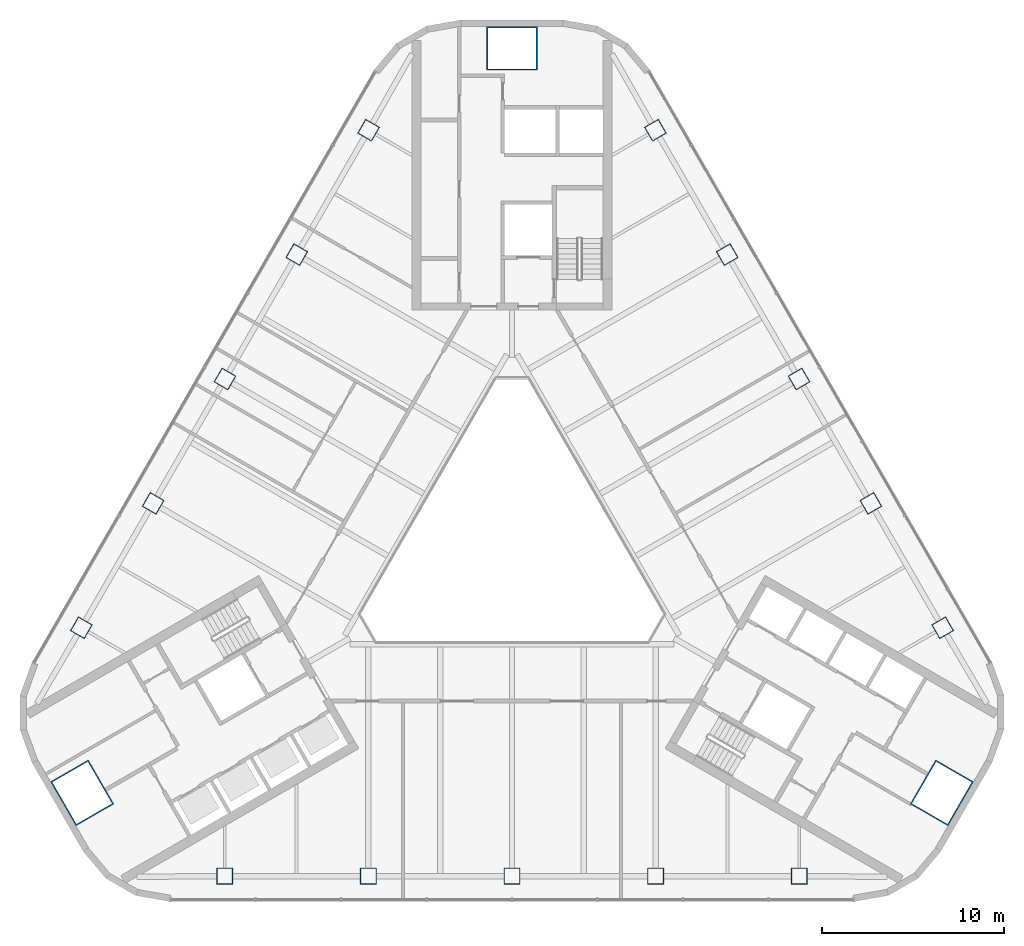
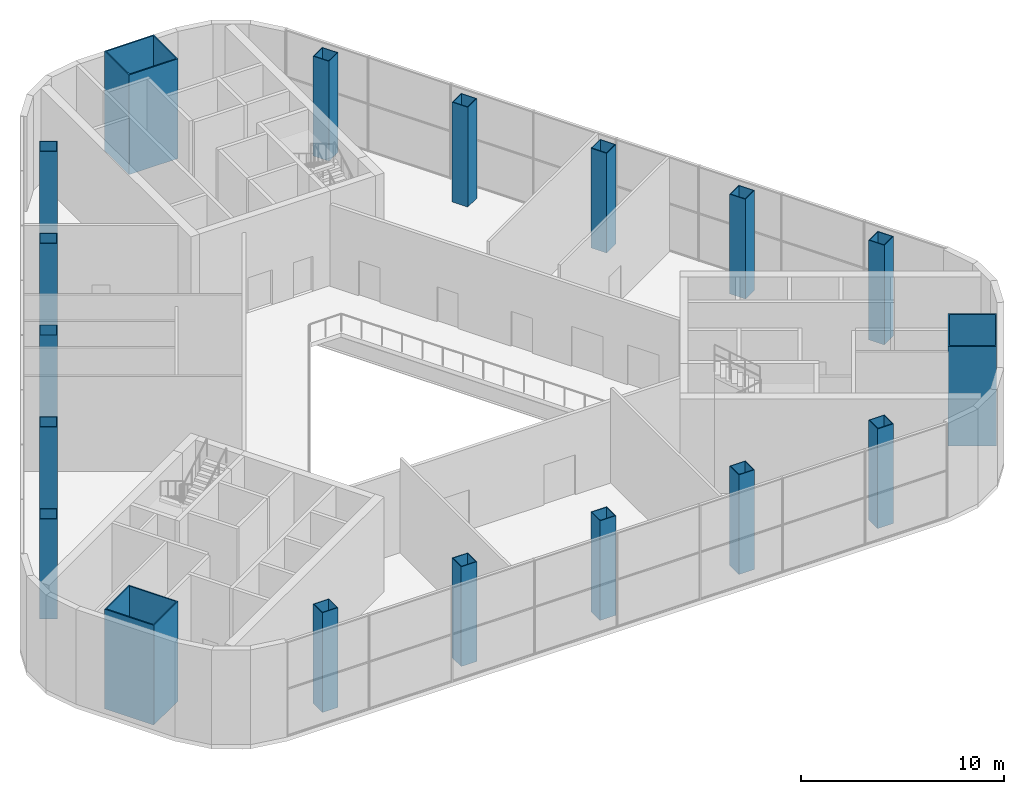
# One storey, part 1 of 14: 18 columns.
"""IFC4 building model written with IfcOpenShell, lengths in metres."""

from ifc_helpers import new_model, si_unit, direction, frame, origin, origin_2d, place, context, subcontext, project, spatial, rectangle, hollow_rectangle, extrude, material, material_profile, profile_set, type_object, element, save


model = new_model("IFC4")

# Units and contexts
model_context = context("Model", 3, precision=1e-05, world=origin(), true_north=direction((0.0, 1.0)))
body_context = subcontext(model_context, "Body", "Model", "MODEL_VIEW")
ifc_project = project(units=[si_unit("LENGTHUNIT", "METRE"), si_unit("AREAUNIT", "SQUARE_METRE"), si_unit("VOLUMEUNIT", "CUBIC_METRE"), si_unit("PLANEANGLEUNIT", "RADIAN"), si_unit("MASSUNIT", "GRAM", prefix="KILO")], contexts=[model_context])

# Site, building, storey
site_placement = place(None, origin())
site = spatial("IfcSite", under=ifc_project, at=site_placement, CompositionType="ELEMENT")
building_placement = place(site_placement, origin())
building = spatial("IfcBuilding", under=site, at=building_placement, Name="Apuvela Tower Hotel", CompositionType="ELEMENT")
storey_placement = place(building_placement, frame((0.0, 0.0, 131.60009765625)))
storey = spatial("IfcBuildingStorey", under=building, at=storey_placement, Name="L31", CompositionType="ELEMENT", Elevation=131.60009765625)

# Columns
ifc_material_1 = material(Name="Steel S460", Category="steel")
ifc_material_profile_1 = material_profile(ifc_material_1, hollow_rectangle(XDim=2.800048828125, YDim=2.39990234375, WallThickness=0.070068359375, at=origin_2d()), Name="BOX 2800x2400x70")
ifc_material_2 = material(Name="Concrete C80/95", Category="concrete")
ifc_material_profile_2 = material_profile(ifc_material_2, rectangle(XDim=2.659912109375, YDim=2.260009765625, at=origin_2d()), Name="Concrete C80/95 infill")
ifc_profile_set_1 = profile_set([ifc_material_profile_1, ifc_material_profile_2], Name="Steel S460")
column_type_1 = type_object("IfcColumnType", Name="STR-MC mega column BOX 2800x2400x70", PredefinedType="COLUMN", material=ifc_profile_set_1)
for number, where, z_axis, x_axis, name in (
    (1, (0.0, 27.300048828125, 0.0), (0.0, 0.0, 1.0), (1.0, 0.0, 0.0), "Mega column MC2 N"),
    (2, (-23.642578125, -13.64990234375, 0.0), (0.0, 0.0, 1.0), (-0.5, 0.866025403784, 0.0), "Mega column MC2 SW"),
    (3, (23.642578125, -13.64990234375, 0.0), (0.0, 0.0, 1.0), (0.5, 0.866025403784, 0.0), "Mega column MC2 SE"),
):
    element("IfcColumn", number, at=place(storey_placement, frame(where, z_axis=z_axis, x_axis=x_axis)), inside=storey, type_object=column_type_1, Name=name, PredefinedType="COLUMN", context=body_context, shape_type="SweptSolid", body=[
        extrude(hollow_rectangle(XDim=2.800048828125, YDim=2.39990234375, WallThickness=0.070068359375, at=origin_2d()), origin(), (0.0, 0.0, 1.0), 6.0),
    ])
ifc_material_profile_3 = material_profile(ifc_material_1, hollow_rectangle(XDim=0.89990234375, YDim=0.89990234375, WallThickness=0.0400390625, at=origin_2d()), Name="BOX 900x900x40")
ifc_material_profile_4 = material_profile(ifc_material_2, rectangle(XDim=0.820068359375, YDim=0.820068359375, at=origin_2d()), Name="Concrete C80/95 infill")
ifc_profile_set_2 = profile_set([ifc_material_profile_3, ifc_material_profile_4], Name="Steel S460")
column_type_2 = type_object("IfcColumnType", Name="STR-PC perimeter column BOX 900x900x40", PredefinedType="COLUMN", material=ifc_profile_set_2)
for number, where, z_axis, x_axis, name in (
    (4, (-15.800048828125, -18.22998046875, 0.0), (0.0, 0.0, 1.0), (-1.0, 0.0, 0.0), "Perimeter column C3 S1"),
    (5, (-7.89990234375, -18.22998046875, 0.0), (0.0, 0.0, 1.0), (-1.0, 0.0, 0.0), "Perimeter column C3 S2"),
    (6, (0.0, -18.22998046875, 0.0), (0.0, 0.0, 1.0), (-1.0, 0.0, 0.0), "Perimeter column C3 S3"),
    (7, (7.89990234375, -18.22998046875, 0.0), (0.0, 0.0, 1.0), (-1.0, 0.0, 0.0), "Perimeter column C3 S4"),
    (8, (15.800048828125, -18.22998046875, 0.0), (0.0, 0.0, 1.0), (-1.0, 0.0, 0.0), "Perimeter column C3 S5"),
    (9, (23.6875, -4.568115234375, 0.0), (0.0, 0.0, 1.0), (-0.5, 0.866025403784, 0.0), "Perimeter column C3 NE1"),
    (10, (19.737548828125, 2.2734375, 0.0), (0.0, 0.0, 1.0), (-0.5, 0.866025403784, 0.0), "Perimeter column C3 NE2"),
    (11, (15.78759765625, 9.114990234375, 0.0), (0.0, 0.0, 1.0), (-0.5, 0.866025403784, 0.0), "Perimeter column C3 NE3"),
    (12, (11.837646484375, 15.95654296875, 0.0), (0.0, 0.0, 1.0), (-0.5, 0.866025403784, 0.0), "Perimeter column C3 NE4"),
    (13, (7.8876953125, 22.798095703125, 0.0), (0.0, 0.0, 1.0), (-0.5, 0.866025403784, 0.0), "Perimeter column C3 NE5"),
    (14, (-7.8876953125, 22.798095703125, 0.0), (0.0, 0.0, 1.0), (0.5, 0.866025403784, 0.0), "Perimeter column C3 NW1"),
    (15, (-11.837646484375, 15.95654296875, 0.0), (0.0, 0.0, 1.0), (0.5, 0.866025403784, 0.0), "Perimeter column C3 NW2"),
    (16, (-15.78759765625, 9.114990234375, 0.0), (0.0, 0.0, 1.0), (0.5, 0.866025403784, 0.0), "Perimeter column C3 NW3"),
    (17, (-19.737548828125, 2.2734375, 0.0), (0.0, 0.0, 1.0), (0.5, 0.866025403784, 0.0), "Perimeter column C3 NW4"),
    (18, (-23.6875, -4.568115234375, 0.0), (0.0, 0.0, 1.0), (0.5, 0.866025403784, 0.0), "Perimeter column C3 NW5"),
):
    element("IfcColumn", number, at=place(storey_placement, frame(where, z_axis=z_axis, x_axis=x_axis)), inside=storey, type_object=column_type_2, Name=name, PredefinedType="COLUMN", context=body_context, shape_type="SweptSolid", body=[
        extrude(hollow_rectangle(XDim=0.89990234375, YDim=0.89990234375, WallThickness=0.0400390625, at=origin_2d()), origin(), (0.0, 0.0, 1.0), 6.0),
    ])

save(model, "model.ifc")
